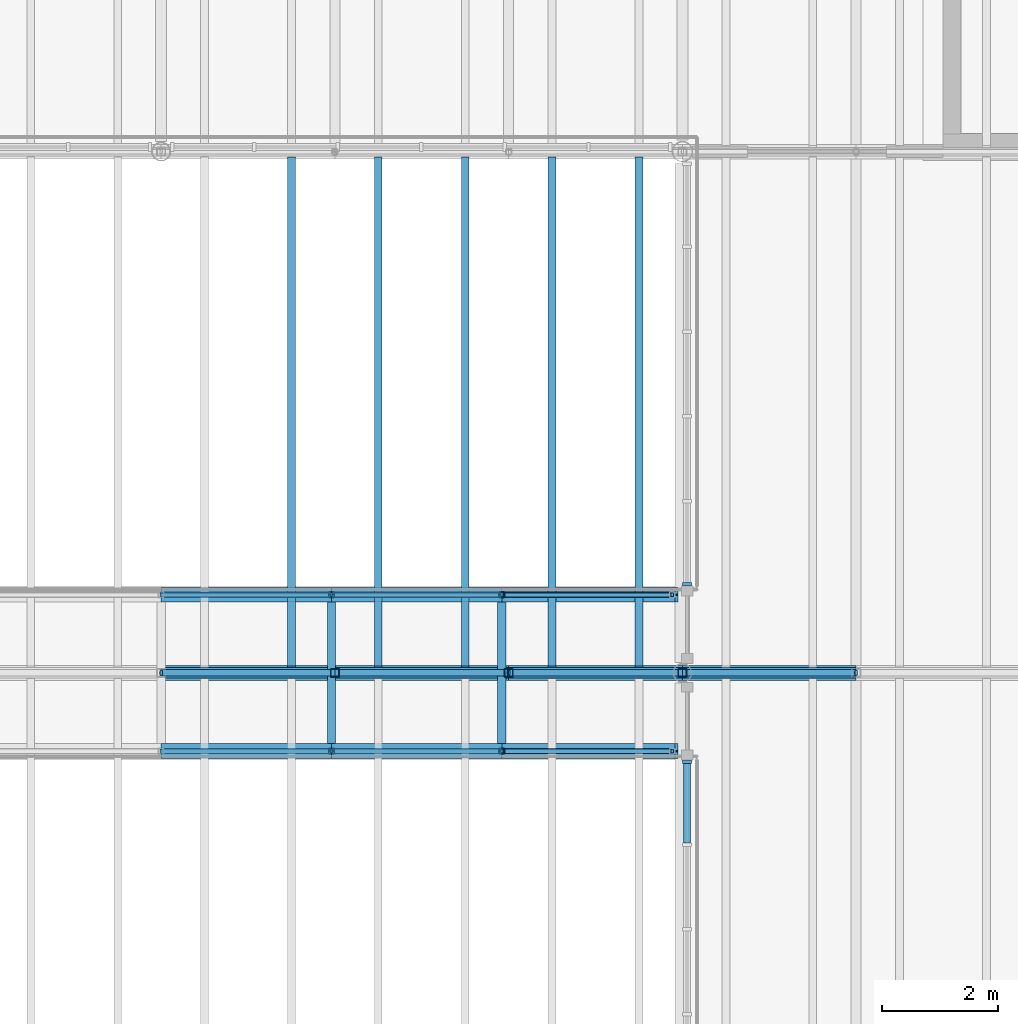
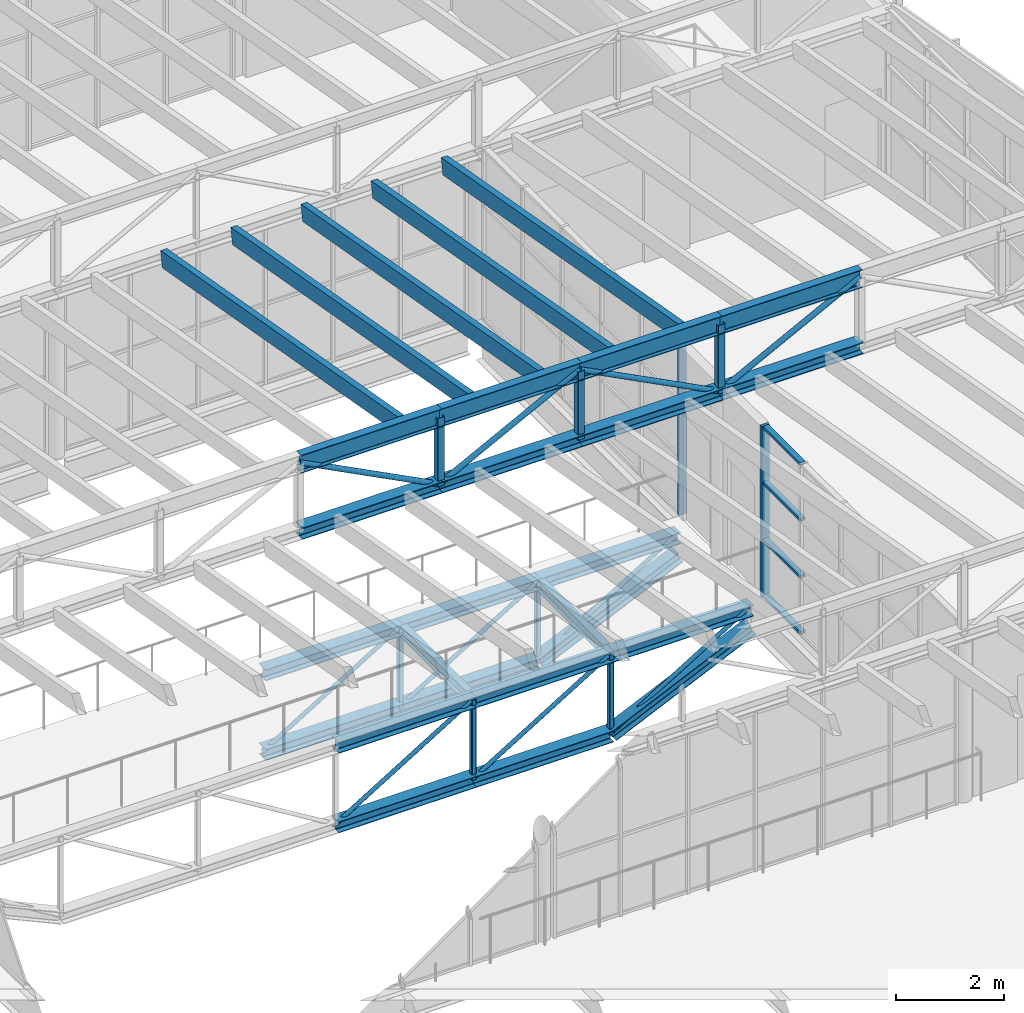
# One storey, part 22 of 44: 48 members, 2 beams, 2 elements without a shape of their own.
"""IFC4 building model written with IfcOpenShell, lengths in metres."""

import ifcopenshell
import ifcopenshell.guid

model = None  # the IFC model being written
_history = None  # IfcOwnerHistory: only IFC2X3 demands one
_inside = {}  # id of a spatial element -> (the spatial element, [elements in it])
_under = {}  # id of a project, library or spatial element -> (it, [spatial elements below it])
_declared = {}  # id of a project -> (the project, [libraries it declares])
_typed = {}  # id of a type object -> (the type object, [elements of that type])
_made_of = {}  # id of a material, layer set ... -> (it, [elements and type objects made of it])


def new_model(schema):
    """Start an empty IFC model of exactly this schema.

    Asked for "IFC4X3", IfcOpenShell would pick the latest addendum, in which some entities
    have other attributes; the version numbers below select the first issue.
    IFC2X3 requires an IfcOwnerHistory on every rooted entity: one is made here for all.
    """
    global model, _history
    if schema == "IFC4X3":
        model = ifcopenshell.file(schema_version=(4, 3, 0, 0))
    else:
        model = ifcopenshell.file(schema=schema)
    _inside.clear()
    _under.clear()
    _declared.clear()
    _typed.clear()
    _made_of.clear()
    _history = None
    if model.schema == "IFC2X3":
        org = make("IfcOrganization", Name="unknown")
        user = make(
            "IfcPersonAndOrganization",
            ThePerson=make("IfcPerson", FamilyName="unknown"),
            TheOrganization=org,
        )
        app = make(
            "IfcApplication",
            ApplicationDeveloper=org,
            Version="unknown",
            ApplicationFullName="unknown",
            ApplicationIdentifier="unknown",
        )
        _history = make(
            "IfcOwnerHistory",
            OwningUser=user,
            OwningApplication=app,
            ChangeAction="ADDED",
            CreationDate=0,
        )
    return model


def make(cls, **values):
    """One entity of the class cls with the attributes given. An attribute that is None is left unset."""
    return model.create_entity(
        cls, **{name: value for name, value in values.items() if value is not None}
    )


def rooted(cls, **values):
    """An entity with a GlobalId (a new one), such as an element, a storey or a relation."""
    return make(cls, GlobalId=ifcopenshell.guid.new(), OwnerHistory=_history, **values)


def si_unit(unit_type, name, prefix=None):
    """IfcSIUnit, for example si_unit("LENGTHUNIT", "METRE", prefix="MILLI")."""
    return make("IfcSIUnit", UnitType=unit_type, Prefix=prefix, Name=name)


def assignment(units):
    """IfcUnitAssignment: the units of a project."""
    return None if units is None else make("IfcUnitAssignment", Units=units)


def point(xyz):
    """IfcCartesianPoint."""
    return None if xyz is None else make("IfcCartesianPoint", Coordinates=xyz)


def direction(xyz):
    """IfcDirection."""
    return None if xyz is None else make("IfcDirection", DirectionRatios=xyz)


def frame(location, z_axis=None, x_axis=None):
    """IfcAxis2Placement3D, a coordinate frame: its origin and axes. An axis left out is left unset."""
    return make(
        "IfcAxis2Placement3D",
        Location=point(location),
        Axis=direction(z_axis),
        RefDirection=direction(x_axis),
    )


def frame_2d(location, x_axis=None):
    """IfcAxis2Placement2D, a coordinate frame in the plane: its origin and x axis."""
    return make(
        "IfcAxis2Placement2D", Location=point(location), RefDirection=direction(x_axis)
    )


def origin():
    """The frame at (0, 0, 0) with its axes left unset."""
    return frame((0.0, 0.0, 0.0))


def origin_2d():
    """The frame at (0, 0) in the plane with its x axis left unset."""
    return frame_2d((0.0, 0.0))


def place(relative_to, where):
    """IfcLocalPlacement: puts the frame where relative to a parent placement (None: the world)."""
    return make(
        "IfcLocalPlacement", PlacementRelTo=relative_to, RelativePlacement=where
    )


def context(
    kind, dimensions, precision=None, world=None, true_north=None, identifier=None
):
    """IfcGeometricRepresentationContext, for example the 3D "Model" context."""
    return make(
        "IfcGeometricRepresentationContext",
        ContextIdentifier=identifier,
        ContextType=kind,
        CoordinateSpaceDimension=dimensions,
        Precision=precision,
        WorldCoordinateSystem=world,
        TrueNorth=true_north,
    )


def subcontext(parent, identifier, kind, view, scale=None):
    """IfcGeometricRepresentationSubContext, for example "Body" below "Model"."""
    return make(
        "IfcGeometricRepresentationSubContext",
        ContextIdentifier=identifier,
        ContextType=kind,
        ParentContext=parent,
        TargetScale=scale,
        TargetView=view,
    )


def project(units=None, contexts=None):
    """IfcProject with its units and contexts."""
    return rooted(
        "IfcProject",
        Name="project",
        RepresentationContexts=contexts,
        UnitsInContext=assignment(units),
    )


def spatial(cls, under=None, at=None, **own):
    """A site, building, storey or space (cls), placed at a placement, below another one or the project."""
    s = rooted(cls, ObjectPlacement=at, **own)
    if under is not None:
        _under.setdefault(under.id(), (under, []))[1].append(s)
    return s


def profile(cls, at=None, kind="AREA", **sizes):
    """A parametric profile (cls). Its sizes go by their IFC names, for example OverallWidth=200.0."""
    return make(cls, ProfileType=kind, Position=at, **sizes)


def rectangle(**sizes):
    """IfcRectangleProfileDef."""
    return profile("IfcRectangleProfileDef", **sizes)


def hollow_rectangle(**sizes):
    """IfcRectangleHollowProfileDef."""
    return profile("IfcRectangleHollowProfileDef", **sizes)


def hollow_circle(**sizes):
    """IfcCircleHollowProfileDef."""
    return profile("IfcCircleHollowProfileDef", **sizes)


def i_section(**sizes):
    """IfcIShapeProfileDef."""
    return profile("IfcIShapeProfileDef", **sizes)


def extrude(swept, where, along, depth):
    """IfcExtrudedAreaSolid: the profile swept, set in the frame where, extruded along a direction by depth."""
    return make(
        "IfcExtrudedAreaSolid",
        SweptArea=swept,
        Position=where,
        ExtrudedDirection=direction(along),
        Depth=depth,
    )


def shape(context_of_items, identifier, shape_type, items):
    """IfcShapeRepresentation: the items that make up one representation, for example the "Body"."""
    return make(
        "IfcShapeRepresentation",
        ContextOfItems=context_of_items,
        RepresentationIdentifier=identifier,
        RepresentationType=shape_type,
        Items=items,
    )


def material(Name=None, Category=None):
    """IfcMaterial."""
    return make("IfcMaterial", Name=Name, Category=Category)


def layer(
    of_material, thickness, ventilated=None, Name=None, Category=None, Priority=None
):
    """IfcMaterialLayer: one layer of a wall or slab, of a material (None: an air gap)."""
    return make(
        "IfcMaterialLayer",
        Material=of_material,
        LayerThickness=thickness,
        IsVentilated=ventilated,
        Name=Name,
        Category=Category,
        Priority=Priority,
    )


def layer_set(layers, Name=None):
    """IfcMaterialLayerSet."""
    return make("IfcMaterialLayerSet", MaterialLayers=layers, LayerSetName=Name)


def material_profile(
    of_material, cross_section, Name=None, Category=None, Priority=None
):
    """IfcMaterialProfile: a cross section and its material."""
    return make(
        "IfcMaterialProfile",
        Name=Name,
        Material=of_material,
        Profile=cross_section,
        Priority=Priority,
        Category=Category,
    )


def profile_set(profiles, Name=None, composite=None):
    """IfcMaterialProfileSet."""
    return make(
        "IfcMaterialProfileSet",
        Name=Name,
        MaterialProfiles=profiles,
        CompositeProfile=composite,
    )


def made_of(thing, what):
    """Note that an element or type object is made of a material, layer set ...; save() writes the relation."""
    if what is not None:
        _made_of.setdefault(what.id(), (what, []))[1].append(thing)
    return thing


def type_object(cls, material=None, **own):
    """A type object (cls), such as IfcWallType, which elements share."""
    return made_of(rooted(cls, **own), material)


def element(
    cls,
    number,
    at=None,
    inside=None,
    cuts=None,
    type_object=None,
    material=None,
    context=None,
    identifier="Body",
    shape_type=None,
    held_by="IfcProductDefinitionShape",
    body=None,
    shapes=None,
    **own,
):
    """One element of the class cls, such as IfcWall. Its Tag is "e" and its number.

    at: its placement. inside: the storey or other place that contains it. cuts: it is an
    opening in that element (IfcRelVoidsElement). A single representation is given by context,
    identifier, shape_type and body (its items); several are given by shapes. held_by: the class
    of the entity that holds the representations. save() writes the other relations.
    """
    e = rooted(cls, Tag="e%d" % number, ObjectPlacement=at, **own)
    if body is not None:
        shapes = [shape(context, identifier, shape_type, body)]
    if shapes is not None:
        e.Representation = make(held_by, Representations=shapes)
    if inside is not None:
        _inside.setdefault(inside.id(), (inside, []))[1].append(e)
    if cuts is not None:
        rooted(
            "IfcRelVoidsElement", RelatingBuildingElement=cuts, RelatedOpeningElement=e
        )
    if type_object is not None:
        _typed.setdefault(type_object.id(), (type_object, []))[1].append(e)
    return made_of(e, material)


def aggregate(whole, parts):
    """IfcRelAggregates: a whole, such as a stair, and the parts it consists of."""
    return rooted("IfcRelAggregates", RelatingObject=whole, RelatedObjects=parts)


def save(model, path):
    """Write the relations noted so far, then the file.

    IfcRelAggregates (storeys below a building ...), IfcRelContainedInSpatialStructure (elements
    in a storey), IfcRelDefinesByType, IfcRelAssociatesMaterial and IfcRelDeclares: one each for
    every whole, place, type object, material and project.
    """
    for whole, parts in _under.values():
        aggregate(whole, parts)
    for where, things in _inside.values():
        rooted(
            "IfcRelContainedInSpatialStructure",
            RelatedElements=things,
            RelatingStructure=where,
        )
    for kind, things in _typed.values():
        rooted("IfcRelDefinesByType", RelatedObjects=things, RelatingType=kind)
    for what, things in _made_of.values():
        rooted("IfcRelAssociatesMaterial", RelatedObjects=things, RelatingMaterial=what)
    for by, libraries in _declared.values():
        rooted("IfcRelDeclares", RelatingContext=by, RelatedDefinitions=libraries)
    model.write(path)


model = new_model("IFC4")

# Units and contexts
model_context = context("Model", 3, precision=1e-05, world=origin(), true_north=direction((0.0, 1.0)))
body_context = subcontext(model_context, "Body", "Model", "MODEL_VIEW")
ifc_project = project(units=[si_unit("LENGTHUNIT", "METRE"), si_unit("AREAUNIT", "SQUARE_METRE"), si_unit("VOLUMEUNIT", "CUBIC_METRE"), si_unit("PLANEANGLEUNIT", "RADIAN"), si_unit("MASSUNIT", "GRAM", prefix="KILO")], contexts=[model_context])

# Site, building, storey
site_placement = place(None, origin())
site = spatial("IfcSite", under=ifc_project, at=site_placement, CompositionType="ELEMENT")
building_placement = place(site_placement, origin())
building = spatial("IfcBuilding", under=site, at=building_placement, Name="Halyard Row Museum", CompositionType="ELEMENT")
storey_placement = place(building_placement, frame((0.0, 0.0, 21.199951171875)))
storey = spatial("IfcBuildingStorey", under=building, at=storey_placement, Name="L04", CompositionType="ELEMENT", Elevation=21.199951171875)

# Curtain wall, member
ifc_material_1 = material(Name="Fire-resisting laminated glazing", Category="glass")
ifc_layer = layer(ifc_material_1, 0.159912109375)
ifc_layer_set = layer_set([ifc_layer], Name="Fire-resisting laminated glazing")
curtain_wall_type = type_object("IfcCurtainWallType", Name="Curtain wall atrium screen 160 deep", PredefinedType="NOTDEFINED", material=ifc_layer_set)
curtain_wall_1_placement = place(storey_placement, origin())
curtain_wall_1 = element("IfcCurtainWall", 1, at=curtain_wall_1_placement, inside=storey, type_object=curtain_wall_type, Name="Curtain wall CW104", PredefinedType="NOTDEFINED")
ifc_material_2 = material(Name="Powder-coated aluminium section", Category="aluminium")
ifc_material_profile_1 = material_profile(ifc_material_2, rectangle(XDim=0.159912109375, YDim=0.06005859375, at=origin_2d()), Name="160x60 mullion")
ifc_profile_set_1 = profile_set([ifc_material_profile_1], Name="Powder-coated aluminium section")
member_type_1 = type_object("IfcMemberType", Name="Curtain wall mullion CM5 60 x 160", PredefinedType="MULLION", material=ifc_profile_set_1)
member_1_placement = place(storey_placement, frame((99.080078125, 16.469970703125, 0.0), z_axis=(0.0, 0.0, 1.0), x_axis=(-1.0, 0.0, 0.0)))
member_1 = element("IfcMember", 2, at=member_1_placement, type_object=member_type_1, Name="CW104 mullion 6", PredefinedType="MULLION", context=body_context, shape_type="SweptSolid", body=[
    extrude(rectangle(XDim=0.159912109375, YDim=0.06005859375, at=origin_2d()), origin(), (0.0, 0.0, 1.0), 3.878173828125),
])

curtain_wall_2_placement = place(storey_placement, origin())
curtain_wall_2 = element("IfcCurtainWall", 3, at=curtain_wall_2_placement, inside=storey, type_object=curtain_wall_type, Name="Curtain wall CW105", PredefinedType="NOTDEFINED")
member_2_placement = place(storey_placement, frame((99.080078125, 19.530029296875, 0.0), z_axis=(0.0, 0.0, 1.0), x_axis=(-1.0, 0.0, 0.0)))
member_2 = element("IfcMember", 4, at=member_2_placement, type_object=member_type_1, Name="CW105 mullion 1", PredefinedType="MULLION", context=body_context, shape_type="SweptSolid", body=[
    extrude(rectangle(XDim=0.159912109375, YDim=0.06005859375, at=origin_2d()), origin(), (0.0, 0.0, 1.0), 3.878173828125),
])
aggregate(curtain_wall_2, [member_2])

# Member
ifc_material_3 = material(Name="Powder-coated aluminium section", Category="aluminium")
ifc_material_profile_2 = material_profile(ifc_material_3, rectangle(XDim=0.1201171875, YDim=0.06005859375, at=origin_2d()), Name="120x60 transom")
ifc_profile_set_2 = profile_set([ifc_material_profile_2], Name="Powder-coated aluminium section")
member_type_2 = type_object("IfcMemberType", Name="Curtain wall transom CT5 60 x 120", PredefinedType="USERDEFINED", material=ifc_profile_set_2)
member_3_placement = place(storey_placement, frame((99.080078125, 15.065673828125, 0.030029296875), z_axis=(0.0, 1.0, 0.0), x_axis=(-1.0, 0.0, 0.0)))
member_3 = element("IfcMember", 5, at=member_3_placement, type_object=member_type_2, Name="CW104 transom 5.1", ObjectType="TRANSOM", PredefinedType="USERDEFINED", context=body_context, shape_type="SweptSolid", body=[
    extrude(rectangle(XDim=0.1201171875, YDim=0.06005859375, at=origin_2d()), origin(), (0.0, 0.0, 1.0), 1.374267578125),
])

member_4_placement = place(storey_placement, frame((99.080078125, 15.065673828125, 1.292724609375), z_axis=(0.0, 1.0, 0.0), x_axis=(-1.0, 0.0, 0.0)))
member_4 = element("IfcMember", 6, at=member_4_placement, type_object=member_type_2, Name="CW104 transom 5.2", ObjectType="TRANSOM", PredefinedType="USERDEFINED", context=body_context, shape_type="SweptSolid", body=[
    extrude(rectangle(XDim=0.1201171875, YDim=0.06005859375, at=origin_2d()), origin(), (0.0, 0.0, 1.0), 1.374267578125),
])

member_5_placement = place(storey_placement, frame((99.080078125, 15.065673828125, 2.58544921875), z_axis=(0.0, 1.0, 0.0), x_axis=(-1.0, 0.0, 0.0)))
member_5 = element("IfcMember", 7, at=member_5_placement, type_object=member_type_2, Name="CW104 transom 5.3", ObjectType="TRANSOM", PredefinedType="USERDEFINED", context=body_context, shape_type="SweptSolid", body=[
    extrude(rectangle(XDim=0.1201171875, YDim=0.06005859375, at=origin_2d()), origin(), (0.0, 0.0, 1.0), 1.374267578125),
])

member_6_placement = place(storey_placement, frame((99.080078125, 15.065673828125, 3.84814453125), z_axis=(0.0, 1.0, 0.0), x_axis=(-1.0, 0.0, 0.0)))
member_6 = element("IfcMember", 8, at=member_6_placement, type_object=member_type_2, Name="CW104 transom 5.4", ObjectType="TRANSOM", PredefinedType="USERDEFINED", context=body_context, shape_type="SweptSolid", body=[
    extrude(rectangle(XDim=0.1201171875, YDim=0.06005859375, at=origin_2d()), origin(), (0.0, 0.0, 1.0), 1.374267578125),
])

aggregate(curtain_wall_1, [member_1, member_3, member_4, member_5, member_6])

# Beams
ifc_material_4 = material(Name="Steel Grade 300", Category="steel")
ifc_material_profile_3 = material_profile(ifc_material_4, i_section(OverallWidth=0.14599609375, OverallDepth=0.256103515625, WebThickness=0.00634765625, FlangeThickness=0.010986328125, FilletRadius=0.0087890625, at=origin_2d()), Name="250UB37.3")
ifc_profile_set_3 = profile_set([ifc_material_profile_3], Name="Steel Grade 300")
beam_type = type_object("IfcBeamType", Name="Frame beam 250UB37.3", PredefinedType="BEAM", material=ifc_profile_set_3)
for number, where, z_axis, x_axis, name in (
    (9, (92.941650390625, 16.777099609375, -0.29296875), (0.0, 1.0, 0.0), (-1.0, 0.0, 0.0), "BT2 cross beam 5"),
    (10, (95.88330078125, 16.777099609375, -0.29296875), (0.0, 1.0, 0.0), (-1.0, 0.0, 0.0), "BT2 cross beam 6"),
):
    element("IfcBeam", number, at=place(storey_placement, frame(where, z_axis=z_axis, x_axis=x_axis)), inside=storey, type_object=beam_type, Name=name, PredefinedType="BEAM", context=body_context, shape_type="SweptSolid", body=[
        extrude(i_section(OverallWidth=0.14599609375, OverallDepth=0.256103515625, WebThickness=0.00634765625, FlangeThickness=0.010986328125, FilletRadius=0.0087890625, at=origin_2d()), origin(), (0.0, 0.0, 1.0), 2.44580078125),
    ])

# Members
ifc_material_5 = material(Name="Glulam GL12 radiata pine", Category="wood")
ifc_material_profile_4 = material_profile(ifc_material_5, rectangle(XDim=0.135009765625, YDim=0.360107421875, at=origin_2d()), Name="GL12 135x360")
ifc_profile_set_4 = profile_set([ifc_material_profile_4], Name="Glulam GL12 radiata pine")
member_type_3 = type_object("IfcMemberType", Name="Rafter GL12 135x360", PredefinedType="RAFTER", material=ifc_profile_set_4)
for number, where, z_axis, x_axis, name in (
    (11, (92.25, 18.089111328125, 5.281494140625), (0.0, 0.98455904933, -0.175052787419), (-1.0, 0.0, 0.0), "Rafter V2-T3b.8"),
    (12, (93.75, 18.089111328125, 5.281494140625), (0.0, 0.98455904933, -0.175052787419), (-1.0, 0.0, 0.0), "Rafter V2-T3b.9"),
    (13, (95.25, 18.089111328125, 5.281494140625), (0.0, 0.98455904933, -0.175052787419), (-1.0, 0.0, 0.0), "Rafter V2-T3b.10"),
    (14, (96.75, 18.089111328125, 5.281494140625), (0.0, 0.98455904933, -0.175052787419), (-1.0, 0.0, 0.0), "Rafter V2-T3b.11"),
    (15, (98.25, 18.089111328125, 5.281494140625), (0.0, 0.98455904933, -0.175052787419), (-1.0, 0.0, 0.0), "Rafter V2-T3b.12"),
):
    element("IfcMember", number, at=place(storey_placement, frame(where, z_axis=z_axis, x_axis=x_axis)), inside=storey, type_object=member_type_3, Name=name, PredefinedType="RAFTER", context=body_context, shape_type="SweptSolid", body=[
        extrude(rectangle(XDim=0.135009765625, YDim=0.360107421875, at=origin_2d()), origin(), (0.0, 0.0, 1.0), 8.921630859375),
    ])
ifc_material_6 = material(Name="Steel Grade 300", Category="steel")
ifc_material_profile_5 = material_profile(ifc_material_6, i_section(OverallWidth=0.25390625, OverallDepth=0.25390625, WebThickness=0.008544921875, FlangeThickness=0.01416015625, FilletRadius=0.013916015625, at=origin_2d()), Name="250UC72.9")
ifc_profile_set_5 = profile_set([ifc_material_profile_5], Name="Steel Grade 300")
member_type_4 = type_object("IfcMemberType", Name="Truss chord 250UC72.9 bottom", PredefinedType="CHORD", material=ifc_profile_set_5)
for number, where, z_axis, x_axis, name in (
    (16, (90.0, 16.64990234375, -2.091796875), (1.0, 0.0, 0.0), (0.0, 1.0, 0.0), "BT2S bottom chord 4"),
    (17, (92.941650390625, 16.64990234375, -2.091796875), (1.0, 0.0, 0.0), (0.0, 1.0, 0.0), "BT2S bottom chord 5"),
):
    element("IfcMember", number, at=place(storey_placement, frame(where, z_axis=z_axis, x_axis=x_axis)), inside=storey, type_object=member_type_4, Name=name, PredefinedType="CHORD", context=body_context, shape_type="SweptSolid", body=[
        extrude(i_section(OverallWidth=0.25390625, OverallDepth=0.25390625, WebThickness=0.008544921875, FlangeThickness=0.01416015625, FilletRadius=0.013916015625, at=origin_2d()), origin(), (0.0, 0.0, 1.0), 2.941650390625),
    ])
member_7_placement = place(storey_placement, frame((95.88330078125, 16.64990234375, -2.091796875), z_axis=(0.909918381768, 0.0, 0.414787341322), x_axis=(0.0, 1.0, 0.0)))
element("IfcMember", 18, at=member_7_placement, inside=storey, type_object=member_type_4, Name="BT2S bottom chord 6", PredefinedType="CHORD", context=body_context, shape_type="SweptSolid", body=[
    extrude(i_section(OverallWidth=0.25390625, OverallDepth=0.25390625, WebThickness=0.008544921875, FlangeThickness=0.01416015625, FilletRadius=0.013916015625, at=origin_2d()), origin(), (0.0, 0.0, 1.0), 3.287841796875),
])
for number, where, z_axis, x_axis, name in (
    (19, (90.0, 19.35009765625, -2.091796875), (1.0, 0.0, 0.0), (0.0, 1.0, 0.0), "BT2N bottom chord 4"),
    (20, (92.941650390625, 19.35009765625, -2.091796875), (1.0, 0.0, 0.0), (0.0, 1.0, 0.0), "BT2N bottom chord 5"),
):
    element("IfcMember", number, at=place(storey_placement, frame(where, z_axis=z_axis, x_axis=x_axis)), inside=storey, type_object=member_type_4, Name=name, PredefinedType="CHORD", context=body_context, shape_type="SweptSolid", body=[
        extrude(i_section(OverallWidth=0.25390625, OverallDepth=0.25390625, WebThickness=0.008544921875, FlangeThickness=0.01416015625, FilletRadius=0.013916015625, at=origin_2d()), origin(), (0.0, 0.0, 1.0), 2.941650390625),
    ])
member_8_placement = place(storey_placement, frame((95.88330078125, 19.35009765625, -2.091796875), z_axis=(0.909918381768, 0.0, 0.414787341322), x_axis=(0.0, 1.0, 0.0)))
element("IfcMember", 21, at=member_8_placement, inside=storey, type_object=member_type_4, Name="BT2N bottom chord 6", PredefinedType="CHORD", context=body_context, shape_type="SweptSolid", body=[
    extrude(i_section(OverallWidth=0.25390625, OverallDepth=0.25390625, WebThickness=0.008544921875, FlangeThickness=0.01416015625, FilletRadius=0.013916015625, at=origin_2d()), origin(), (0.0, 0.0, 1.0), 3.287841796875),
])
ifc_material_7 = material(Name="Steel Grade 300", Category="steel")
ifc_material_profile_6 = material_profile(ifc_material_7, i_section(OverallWidth=0.25390625, OverallDepth=0.25390625, WebThickness=0.008544921875, FlangeThickness=0.01416015625, FilletRadius=0.013916015625, at=origin_2d()), Name="250UC72.9")
ifc_profile_set_6 = profile_set([ifc_material_profile_6], Name="Steel Grade 300")
member_type_5 = type_object("IfcMemberType", Name="Truss chord 250UC72.9 top", PredefinedType="CHORD", material=ifc_profile_set_6)
for number, where, z_axis, x_axis, name in (
    (22, (90.0, 16.64990234375, -0.291748046875), (1.0, 0.0, 0.0), (0.0, 1.0, 0.0), "BT2S top chord 4"),
    (23, (92.941650390625, 16.64990234375, -0.291748046875), (1.0, 0.0, 0.0), (0.0, 1.0, 0.0), "BT2S top chord 5"),
):
    element("IfcMember", number, at=place(storey_placement, frame(where, z_axis=z_axis, x_axis=x_axis)), inside=storey, type_object=member_type_5, Name=name, PredefinedType="CHORD", context=body_context, shape_type="SweptSolid", body=[
        extrude(i_section(OverallWidth=0.25390625, OverallDepth=0.25390625, WebThickness=0.008544921875, FlangeThickness=0.01416015625, FilletRadius=0.013916015625, at=origin_2d()), origin(), (0.0, 0.0, 1.0), 2.941650390625),
    ])
member_9_placement = place(storey_placement, frame((95.88330078125, 16.64990234375, -0.291748046875), z_axis=(1.0, 0.0, 0.0), x_axis=(0.0, 1.0, 0.0)))
element("IfcMember", 24, at=member_9_placement, inside=storey, type_object=member_type_5, Name="BT2S top chord 6", PredefinedType="CHORD", context=body_context, shape_type="SweptSolid", body=[
    extrude(i_section(OverallWidth=0.25390625, OverallDepth=0.25390625, WebThickness=0.008544921875, FlangeThickness=0.01416015625, FilletRadius=0.013916015625, at=origin_2d()), origin(), (0.0, 0.0, 1.0), 2.99169921875),
])
for number, where, z_axis, x_axis, name in (
    (25, (90.0, 19.35009765625, -0.291748046875), (1.0, 0.0, 0.0), (0.0, 1.0, 0.0), "BT2N top chord 4"),
    (26, (92.941650390625, 19.35009765625, -0.291748046875), (1.0, 0.0, 0.0), (0.0, 1.0, 0.0), "BT2N top chord 5"),
):
    element("IfcMember", number, at=place(storey_placement, frame(where, z_axis=z_axis, x_axis=x_axis)), inside=storey, type_object=member_type_5, Name=name, PredefinedType="CHORD", context=body_context, shape_type="SweptSolid", body=[
        extrude(i_section(OverallWidth=0.25390625, OverallDepth=0.25390625, WebThickness=0.008544921875, FlangeThickness=0.01416015625, FilletRadius=0.013916015625, at=origin_2d()), origin(), (0.0, 0.0, 1.0), 2.941650390625),
    ])
member_10_placement = place(storey_placement, frame((95.88330078125, 19.35009765625, -0.291748046875), z_axis=(1.0, 0.0, 0.0), x_axis=(0.0, 1.0, 0.0)))
element("IfcMember", 27, at=member_10_placement, inside=storey, type_object=member_type_5, Name="BT2N top chord 6", PredefinedType="CHORD", context=body_context, shape_type="SweptSolid", body=[
    extrude(i_section(OverallWidth=0.25390625, OverallDepth=0.25390625, WebThickness=0.008544921875, FlangeThickness=0.01416015625, FilletRadius=0.013916015625, at=origin_2d()), origin(), (0.0, 0.0, 1.0), 2.99169921875),
])
ifc_material_8 = material(Name="Steel Grade C250L0", Category="steel")
ifc_material_profile_7 = material_profile(ifc_material_8, hollow_circle(Radius=0.04443359375, WallThickness=0.0048828125, at=origin_2d()), Name="88.9x5.0CHS")
ifc_profile_set_7 = profile_set([ifc_material_profile_7], Name="Steel Grade C250L0")
member_type_6 = type_object("IfcMemberType", Name="Truss diagonal 88.9x5.0CHS", PredefinedType="BRACE", material=ifc_profile_set_7)
for number, where, z_axis, x_axis, name in (
    (28, (90.0, 16.64990234375, -2.091796875), (0.852975450501, 0.0, 0.521951032994), (0.0, 1.0, 0.0), "BT2S diagonal 4"),
    (29, (92.941650390625, 16.64990234375, -2.091796875), (0.852975450501, 0.0, 0.521951032994), (0.0, 1.0, 0.0), "BT2S diagonal 5"),
    (30, (95.88330078125, 16.64990234375, -2.091796875), (0.852975450501, 0.0, 0.521951032994), (0.0, 1.0, 0.0), "BT2S diagonal 6"),
    (31, (90.0, 19.35009765625, -2.091796875), (0.852975450501, 0.0, 0.521951032994), (0.0, 1.0, 0.0), "BT2N diagonal 4"),
    (32, (92.941650390625, 19.35009765625, -2.091796875), (0.852975450501, 0.0, 0.521951032994), (0.0, 1.0, 0.0), "BT2N diagonal 5"),
    (33, (95.88330078125, 19.35009765625, -2.091796875), (0.852975450501, 0.0, 0.521951032994), (0.0, 1.0, 0.0), "BT2N diagonal 6"),
):
    element("IfcMember", number, at=place(storey_placement, frame(where, z_axis=z_axis, x_axis=x_axis)), inside=storey, type_object=member_type_6, Name=name, PredefinedType="BRACE", context=body_context, shape_type="SweptSolid", body=[
        extrude(hollow_circle(Radius=0.04443359375, WallThickness=0.0048828125, at=origin_2d()), origin(), (0.0, 0.0, 1.0), 3.44873046875),
    ])
ifc_material_9 = material(Name="Steel Grade C350L0", Category="steel")
ifc_material_profile_8 = material_profile(ifc_material_9, hollow_rectangle(XDim=0.10009765625, YDim=0.10009765625, WallThickness=0.006103515625, InnerFilletRadius=0.009033203125, OuterFilletRadius=0.014892578125, at=origin_2d()), Name="100x100x6.0SHS")
ifc_profile_set_8 = profile_set([ifc_material_profile_8], Name="Steel Grade C350L0")
member_type_7 = type_object("IfcMemberType", Name="Truss post 100x100x6.0SHS", PredefinedType="POST", material=ifc_profile_set_8)
for number, where, z_axis, x_axis, name in (
    (34, (92.941650390625, 16.64990234375, -2.091796875), (0.0, 0.0, 1.0), (1.0, 0.0, 0.0), "BT2S post 5"),
    (35, (95.88330078125, 16.64990234375, -2.091796875), (0.0, 0.0, 1.0), (1.0, 0.0, 0.0), "BT2S post 6"),
    (36, (92.941650390625, 19.35009765625, -2.091796875), (0.0, 0.0, 1.0), (1.0, 0.0, 0.0), "BT2N post 5"),
    (37, (95.88330078125, 19.35009765625, -2.091796875), (0.0, 0.0, 1.0), (1.0, 0.0, 0.0), "BT2N post 6"),
):
    element("IfcMember", number, at=place(storey_placement, frame(where, z_axis=z_axis, x_axis=x_axis)), inside=storey, type_object=member_type_7, Name=name, PredefinedType="POST", context=body_context, shape_type="SweptSolid", body=[
        extrude(hollow_rectangle(XDim=0.10009765625, YDim=0.10009765625, WallThickness=0.006103515625, InnerFilletRadius=0.009033203125, OuterFilletRadius=0.014892578125, at=origin_2d()), origin(), (0.0, 0.0, 1.0), 1.800048828125),
    ])
ifc_material_10 = material(Name="Steel Grade 300", Category="steel")
ifc_material_profile_9 = material_profile(ifc_material_10, i_section(OverallWidth=0.256103515625, OverallDepth=0.260009765625, WebThickness=0.010498046875, FlangeThickness=0.017333984375, FilletRadius=0.013916015625, at=origin_2d()), Name="250UC89.5")
ifc_profile_set_9 = profile_set([ifc_material_profile_9], Name="Steel Grade 300")
member_type_8 = type_object("IfcMemberType", Name="Valley truss bottom chord 250UC89.5", PredefinedType="CHORD", material=ifc_profile_set_9)
for number, where, z_axis, x_axis, name in (
    (38, (90.0, 18.0, 3.72998046875), (1.0, 0.0, 0.0), (0.0, 1.0, 0.0), "V2-VT3 bottom chord 2.4"),
    (39, (93.0, 18.0, 3.72998046875), (1.0, 0.0, 0.0), (0.0, 1.0, 0.0), "V2-VT3 bottom chord 2.5"),
    (40, (96.0, 18.0, 3.72998046875), (1.0, 0.0, 0.0), (0.0, 1.0, 0.0), "V2-VT3 bottom chord 2.6"),
    (41, (99.0, 18.0, 3.72998046875), (1.0, 0.0, 0.0), (0.0, 1.0, 0.0), "V2-VT3 bottom chord 3.1"),
):
    element("IfcMember", number, at=place(storey_placement, frame(where, z_axis=z_axis, x_axis=x_axis)), inside=storey, type_object=member_type_8, Name=name, PredefinedType="CHORD", context=body_context, shape_type="SweptSolid", body=[
        extrude(i_section(OverallWidth=0.256103515625, OverallDepth=0.260009765625, WebThickness=0.010498046875, FlangeThickness=0.017333984375, FilletRadius=0.013916015625, at=origin_2d()), origin(), (0.0, 0.0, 1.0), 3.0),
    ])
ifc_material_11 = material(Name="Steel Grade C250L0", Category="steel")
ifc_material_profile_10 = material_profile(ifc_material_11, hollow_circle(Radius=0.05712890625, WallThickness=0.00537109375, at=origin_2d()), Name="114.3x5.4CHS")
ifc_profile_set_10 = profile_set([ifc_material_profile_10], Name="Steel Grade C250L0")
member_type_9 = type_object("IfcMemberType", Name="Valley truss diagonal 114.3x5.4CHS", PredefinedType="BRACE", material=ifc_profile_set_10)
for number, where, z_axis, x_axis, name in (
    (42, (90.0, 18.0, 5.27685546875), (0.888803167408, 0.0, -0.458289133195), (0.0, 1.0, 0.0), "V2-VT3 diagonal 2.4"),
    (43, (93.0, 18.0, 3.72998046875), (0.888803167408, 0.0, 0.458289133195), (0.0, 1.0, 0.0), "V2-VT3 diagonal 2.5"),
    (44, (96.0, 18.0, 5.27685546875), (0.888803167408, 0.0, -0.458289133195), (0.0, 1.0, 0.0), "V2-VT3 diagonal 2.6"),
    (45, (99.0, 18.0, 3.72998046875), (0.888803167408, 0.0, 0.458289133195), (0.0, 1.0, 0.0), "V2-VT3 diagonal 3.1"),
):
    element("IfcMember", number, at=place(storey_placement, frame(where, z_axis=z_axis, x_axis=x_axis)), inside=storey, type_object=member_type_9, Name=name, PredefinedType="BRACE", context=body_context, shape_type="SweptSolid", body=[
        extrude(hollow_circle(Radius=0.05712890625, WallThickness=0.00537109375, at=origin_2d()), origin(), (0.0, 0.0, 1.0), 3.375244140625),
    ])
ifc_material_12 = material(Name="Steel Grade C350L0", Category="steel")
ifc_material_profile_11 = material_profile(ifc_material_12, hollow_rectangle(XDim=0.14990234375, YDim=0.14990234375, WallThickness=0.006103515625, InnerFilletRadius=0.009033203125, OuterFilletRadius=0.014892578125, at=origin_2d()), Name="150x150x6.0SHS")
ifc_profile_set_11 = profile_set([ifc_material_profile_11], Name="Steel Grade C350L0")
member_type_10 = type_object("IfcMemberType", Name="Valley truss post 150x150x6.0SHS", PredefinedType="POST", material=ifc_profile_set_11)
for number, where, z_axis, x_axis, name in (
    (46, (93.0, 18.0, 3.72998046875), (0.0, 0.0, 1.0), (1.0, 0.0, 0.0), "V2-VT3 post 2.4"),
    (47, (96.0, 18.0, 3.72998046875), (0.0, 0.0, 1.0), (1.0, 0.0, 0.0), "V2-VT3 post 2.5"),
    (48, (99.0, 18.0, 3.72998046875), (0.0, 0.0, 1.0), (1.0, 0.0, 0.0), "V2-VT3 post 2.6"),
):
    element("IfcMember", number, at=place(storey_placement, frame(where, z_axis=z_axis, x_axis=x_axis)), inside=storey, type_object=member_type_10, Name=name, PredefinedType="POST", context=body_context, shape_type="SweptSolid", body=[
        extrude(hollow_rectangle(XDim=0.14990234375, YDim=0.14990234375, WallThickness=0.006103515625, InnerFilletRadius=0.009033203125, OuterFilletRadius=0.014892578125, at=origin_2d()), origin(), (0.0, 0.0, 1.0), 1.546875),
    ])
ifc_material_13 = material(Name="Steel Grade 300", Category="steel")
ifc_material_profile_12 = material_profile(ifc_material_13, i_section(OverallWidth=0.177978515625, OverallDepth=0.406494140625, WebThickness=0.0078125, FlangeThickness=0.0126953125, FilletRadius=0.011474609375, at=origin_2d()), Name="410UB59.7")
ifc_profile_set_12 = profile_set([ifc_material_profile_12], Name="Steel Grade 300")
member_type_11 = type_object("IfcMemberType", Name="Valley truss top chord 410UB59.7", PredefinedType="CHORD", material=ifc_profile_set_12)
for number, where, z_axis, x_axis, name in (
    (49, (90.0, 18.0, 5.27685546875), (1.0, 0.0, 0.0), (0.0, 1.0, 0.0), "V2-VT3 top chord 2.4"),
    (50, (93.0, 18.0, 5.27685546875), (1.0, 0.0, 0.0), (0.0, 1.0, 0.0), "V2-VT3 top chord 2.5"),
    (51, (96.0, 18.0, 5.27685546875), (1.0, 0.0, 0.0), (0.0, 1.0, 0.0), "V2-VT3 top chord 2.6"),
    (52, (99.0, 18.0, 5.27685546875), (1.0, 0.0, 0.0), (0.0, 1.0, 0.0), "V2-VT3 top chord 3.1"),
):
    element("IfcMember", number, at=place(storey_placement, frame(where, z_axis=z_axis, x_axis=x_axis)), inside=storey, type_object=member_type_11, Name=name, PredefinedType="CHORD", context=body_context, shape_type="SweptSolid", body=[
        extrude(i_section(OverallWidth=0.177978515625, OverallDepth=0.406494140625, WebThickness=0.0078125, FlangeThickness=0.0126953125, FilletRadius=0.011474609375, at=origin_2d()), origin(), (0.0, 0.0, 1.0), 3.0),
    ])

save(model, "model.ifc")
